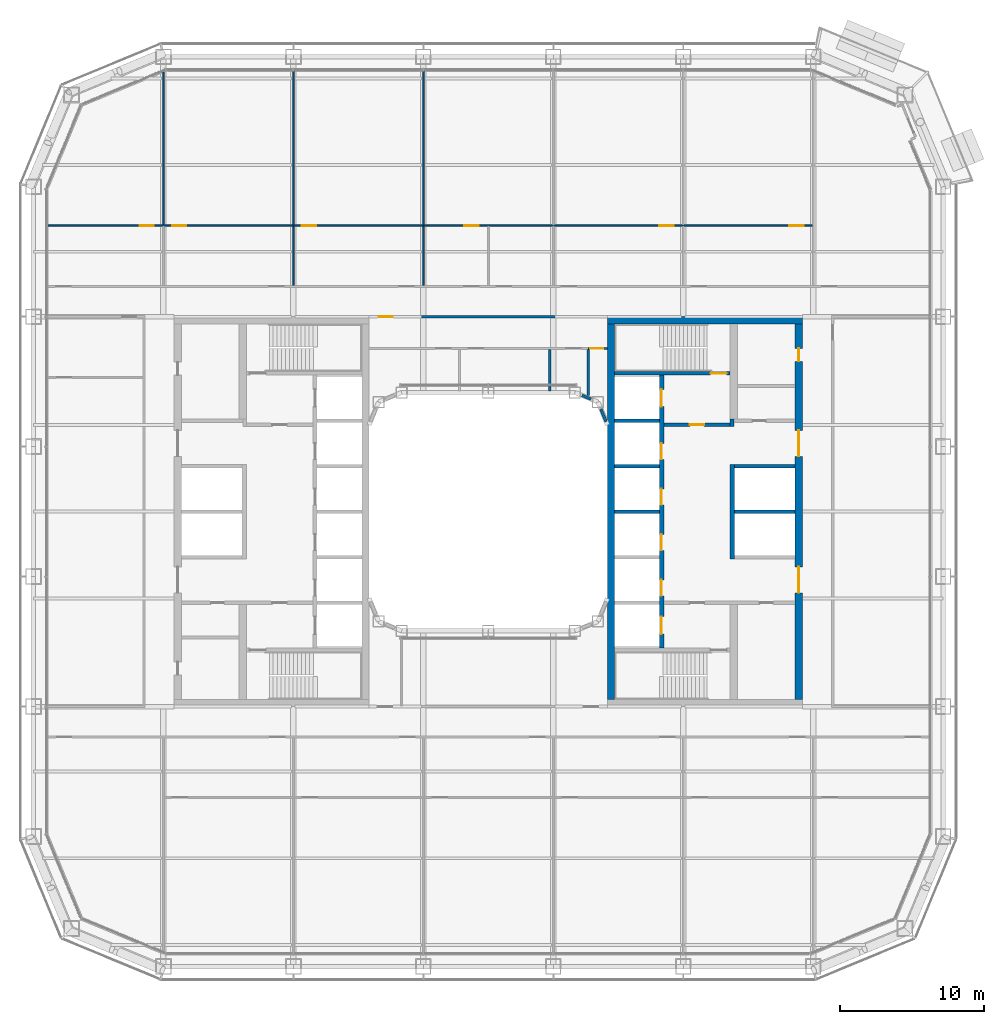
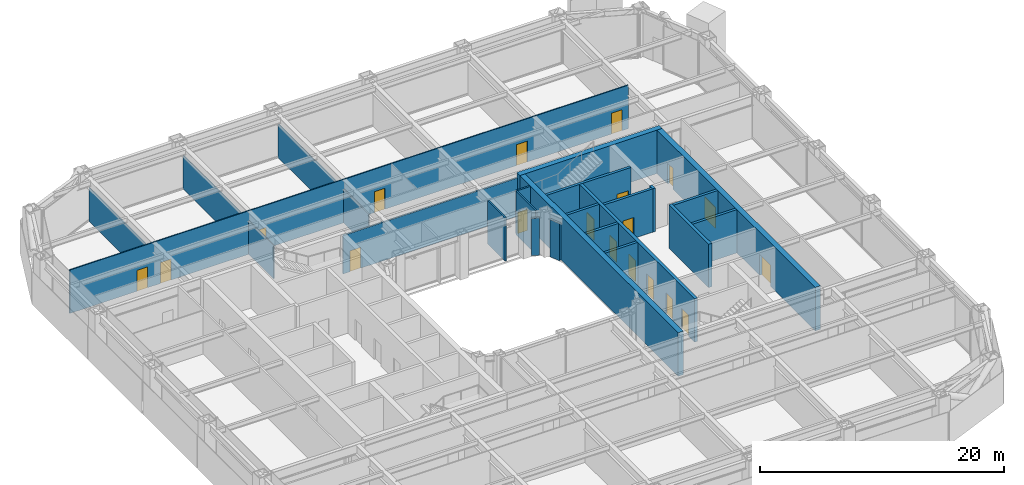
# One storey, part 15 of 30: 25 walls, 19 doors, 19 openings.
"""IFC4 building model written with IfcOpenShell, lengths in metres."""

from ifc_helpers import new_model, si_unit, direction, frame, frame_2d, origin, place, context, subcontext, project, spatial, rectangle, extrude, material, layer, layer_set, type_object, element, fill, save


model = new_model("IFC4")

# Units and contexts
model_context = context("Model", 3, precision=1e-05, world=origin(), true_north=direction((0.0, 1.0)))
body_context = subcontext(model_context, "Body", "Model", "MODEL_VIEW")
ifc_project = project(units=[si_unit("LENGTHUNIT", "METRE"), si_unit("AREAUNIT", "SQUARE_METRE"), si_unit("VOLUMEUNIT", "CUBIC_METRE"), si_unit("PLANEANGLEUNIT", "RADIAN"), si_unit("MASSUNIT", "GRAM", prefix="KILO")], contexts=[model_context])

# Site, building, storey
site_placement = place(None, origin())
site = spatial("IfcSite", under=ifc_project, at=site_placement, CompositionType="ELEMENT")
building_placement = place(site_placement, origin())
building = spatial("IfcBuilding", under=site, at=building_placement, Name="Siwar Civic Tower", CompositionType="ELEMENT")
storey_placement = place(building_placement, frame((0.0, 0.0, 26.699951171875)))
storey = spatial("IfcBuildingStorey", under=building, at=storey_placement, Name="L05", CompositionType="ELEMENT", Elevation=26.699951171875)

# Wall, opening, door
ifc_material_1 = material(Name="Gypsum board on steel studs", Category="steel")
ifc_layer_1 = layer(ifc_material_1, 0.14990234375)
ifc_layer_set_1 = layer_set([ifc_layer_1], Name="Gypsum board on steel studs")
wall_type_1 = type_object("IfcWallType", Name="COMPARTMENT PARTITION 150 EI 60", PredefinedType="PARTITIONING", material=ifc_layer_set_1)
wall_1_placement = place(storey_placement, frame((6.919921875, 11.300048828125, 0.0), z_axis=(0.0, 0.0, 1.0), x_axis=(1.0, 0.0, 0.0)))
wall_1 = element("IfcWall", 1, at=wall_1_placement, inside=storey, type_object=wall_type_1, Name="L05/wall/P08", PredefinedType="PARTITIONING", context=body_context, shape_type="SweptSolid", body=[
    extrude(rectangle(XDim=1.330078125, YDim=0.14990234375, at=frame_2d((0.6650390625, 0.0))), origin(), (0.0, 0.0, 1.0), 4.35009765625),
])
opening_1_placement = place(wall_1_placement, frame((0.14990234375, 0.0, 0.0)))
opening_1 = element("IfcOpeningElement", 2, at=opening_1_placement, cuts=wall_1, Name="Opening D4", PredefinedType="OPENING", context=body_context, shape_type="SweptSolid", body=[
    extrude(rectangle(XDim=0.89990234375, YDim=2.10009765625, at=frame_2d((0.449951171875, 1.050048828125))), frame((0.0, 0.0849609375, 0.0), z_axis=(0.0, -1.0, 0.0), x_axis=(1.0, 0.0, 0.0)), (0.0, 0.0, 1.0), 0.169921875),
])
ifc_material_2 = material(Name="Timber, painted", Category="wood")
door_type_1 = type_object("IfcDoorType", Name="DOOR 900 X 2100 FD60", OperationType="SINGLE_SWING_LEFT", PredefinedType="DOOR", material=ifc_material_2)
door_1_placement = place(opening_1_placement, origin())
door_1 = element("IfcDoor", 3, at=door_1_placement, inside=storey, type_object=door_type_1, Name="L05-D35", OperationType="SINGLE_SWING_LEFT", OverallHeight=2.10009765625, OverallWidth=0.89990234375, PredefinedType="DOOR", context=body_context, shape_type="SweptSolid", body=[
    extrude(rectangle(XDim=0.89990234375, YDim=2.10009765625, at=frame_2d((0.449951171875, 1.050048828125))), frame((0.0, 0.02490234375, 0.0), z_axis=(0.0, -1.0, 0.0), x_axis=(1.0, 0.0, 0.0)), (0.0, 0.0, 1.0), 0.050048828125),
])
fill(opening_1, door_1)

# Wall
wall_2_placement = place(storey_placement, frame((6.919921875, 8.028076171875, 0.0), z_axis=(0.0, 0.0, 1.0), x_axis=(0.0, 1.0, 0.0)))
element("IfcWall", 4, at=wall_2_placement, inside=storey, type_object=wall_type_1, Name="L05/wall/P34", PredefinedType="PARTITIONING", context=body_context, shape_type="SweptSolid", body=[
    extrude(rectangle(XDim=3.197021484375, YDim=0.14990234375, at=frame_2d((1.5986328125, 0.0))), origin(), (0.0, 0.0, 1.0), 4.35009765625),
])

# Wall, opening, door
ifc_material_3 = material(Name="Concrete C60/75", Category="concrete")
ifc_layer_2 = layer(ifc_material_3, 0.25)
ifc_layer_set_2 = layer_set([ifc_layer_2], Name="Concrete C60/75")
wall_type_2 = type_object("IfcWallType", Name="CORE-WALL-RC250", PredefinedType="SHEAR", material=ifc_layer_set_2)
wall_3_placement = place(storey_placement, frame((12.14990234375, 6.02490234375, 0.0), z_axis=(0.0, 0.0, 1.0), x_axis=(1.0, 0.0, 0.0)))
wall_3 = element("IfcWall", 5, at=wall_3_placement, inside=storey, type_object=wall_type_2, Name="Core wall E", PredefinedType="SHEAR", context=body_context, shape_type="SweptSolid", body=[
    extrude(rectangle(XDim=4.60009765625, YDim=0.25, at=frame_2d((2.300048828125, 0.0))), origin(), (0.0, 0.0, 1.0), 4.35009765625),
])
opening_2_placement = place(wall_3_placement, frame((1.800048828125, 0.0, 0.0)))
opening_2 = element("IfcOpeningElement", 6, at=opening_2_placement, cuts=wall_3, Name="Opening L05-CE01", PredefinedType="OPENING", context=body_context, shape_type="SweptSolid", body=[
    extrude(rectangle(XDim=1.0, YDim=2.10009765625, at=frame_2d((0.5, 1.050048828125))), frame((0.0, 0.135009765625, 0.0), z_axis=(0.0, -1.0, 0.0), x_axis=(1.0, 0.0, 0.0)), (0.0, 0.0, 1.0), 0.27001953125),
])
ifc_material_4 = material(Name="Steel door leaf", Category="steel")
door_type_2 = type_object("IfcDoorType", Name="CORE-DOOR-FD30S", OperationType="SINGLE_SWING_LEFT", PredefinedType="DOOR", material=ifc_material_4)
door_2_placement = place(opening_2_placement, origin())
door_2 = element("IfcDoor", 7, at=door_2_placement, inside=storey, type_object=door_type_2, Name="Firefighting lobby door L05-CE01", OperationType="SINGLE_SWING_RIGHT", OverallHeight=2.10009765625, OverallWidth=1.0, PredefinedType="DOOR", context=body_context, shape_type="SweptSolid", body=[
    extrude(rectangle(XDim=1.0, YDim=2.10009765625, at=frame_2d((0.5, 1.050048828125))), frame((0.0, 0.02490234375, 0.0), z_axis=(0.0, -1.0, 0.0), x_axis=(1.0, 0.0, 0.0)), (0.0, 0.0, 1.0), 0.050048828125),
])
fill(opening_2, door_2)

# Walls
wall_4_placement = place(storey_placement, frame((16.875, 5.89990234375, 0.0), z_axis=(0.0, 0.0, 1.0), x_axis=(0.0, 1.0, 0.0)))
element("IfcWall", 8, at=wall_4_placement, inside=storey, type_object=wall_type_2, Name="Core wall E", PredefinedType="SHEAR", context=body_context, shape_type="SweptSolid", body=[
    extrude(rectangle(XDim=0.525146484375, YDim=0.25, at=frame_2d((0.2626953125, 0.0))), origin(), (0.0, 0.0, 1.0), 4.35009765625),
])
for number, where, z_axis, x_axis, name in (
    (9, (17.050048828125, 0.0, 0.0), (0.0, 0.0, 1.0), (1.0, 0.0, 0.0), "Core wall E"),
    (10, (17.050048828125, 3.14990234375, 0.0), (0.0, 0.0, 1.0), (1.0, 0.0, 0.0), "Core wall E"),
):
    element("IfcWall", number, at=place(storey_placement, frame(where, z_axis=z_axis, x_axis=x_axis)), inside=storey, type_object=wall_type_2, Name=name, PredefinedType="SHEAR", context=body_context, shape_type="SweptSolid", body=[
        extrude(rectangle(XDim=4.199951171875, YDim=0.25, at=frame_2d((2.10009765625, 0.0))), origin(), (0.0, 0.0, 1.0), 4.35009765625),
    ])
for number, where, z_axis, x_axis, name in (
    (11, (8.75, 0.0, 0.0), (0.0, 0.0, 1.0), (1.0, 0.0, 0.0), "Core wall E"),
    (12, (8.75, 3.14990234375, 0.0), (0.0, 0.0, 1.0), (1.0, 0.0, 0.0), "Core wall E"),
    (13, (8.75, 6.300048828125, 0.0), (0.0, 0.0, 1.0), (1.0, 0.0, 0.0), "Core wall E"),
):
    element("IfcWall", number, at=place(storey_placement, frame(where, z_axis=z_axis, x_axis=x_axis)), inside=storey, type_object=wall_type_2, Name=name, PredefinedType="SHEAR", context=body_context, shape_type="SweptSolid", body=[
        extrude(rectangle(XDim=3.10009765625, YDim=0.25, at=frame_2d((1.550048828125, 0.0))), origin(), (0.0, 0.0, 1.0), 4.35009765625),
    ])

# Wall, opening, door
wall_5_placement = place(storey_placement, frame((8.75, 9.574951171875, 0.0), z_axis=(0.0, 0.0, 1.0), x_axis=(1.0, 0.0, 0.0)))
wall_5 = element("IfcWall", 14, at=wall_5_placement, inside=storey, type_object=wall_type_2, Name="Core wall E", PredefinedType="SHEAR", context=body_context, shape_type="SweptSolid", body=[
    extrude(rectangle(XDim=8.0, YDim=0.25, at=frame_2d((4.0, 0.0))), origin(), (0.0, 0.0, 1.0), 4.35009765625),
])
opening_3_placement = place(wall_5_placement, frame((6.64990234375, 0.0, 0.0)))
opening_3 = element("IfcOpeningElement", 15, at=opening_3_placement, cuts=wall_5, Name="Opening L05-CE03", PredefinedType="OPENING", context=body_context, shape_type="SweptSolid", body=[
    extrude(rectangle(XDim=1.10009765625, YDim=2.10009765625, at=frame_2d((0.550048828125, 1.050048828125))), frame((0.0, 0.135009765625, 0.0), z_axis=(0.0, -1.0, 0.0), x_axis=(1.0, 0.0, 0.0)), (0.0, 0.0, 1.0), 0.27001953125),
])
ifc_material_5 = material(Name="Steel door leaf", Category="steel")
door_type_3 = type_object("IfcDoorType", Name="CORE-DOOR-FD60S", OperationType="SINGLE_SWING_LEFT", PredefinedType="DOOR", material=ifc_material_5)
door_3_placement = place(opening_3_placement, origin())
door_3 = element("IfcDoor", 16, at=door_3_placement, inside=storey, type_object=door_type_3, Name="Stair door L05-CE03", OperationType="SINGLE_SWING_LEFT", OverallHeight=2.10009765625, OverallWidth=1.10009765625, PredefinedType="DOOR", context=body_context, shape_type="SweptSolid", body=[
    extrude(rectangle(XDim=1.10009765625, YDim=2.10009765625, at=frame_2d((0.550048828125, 1.050048828125))), frame((0.0, 0.02490234375, 0.0), z_axis=(0.0, -1.0, 0.0), x_axis=(1.0, 0.0, 0.0)), (0.0, 0.0, 1.0), 0.050048828125),
])
fill(opening_3, door_3)

# Wall, openings, doors
ifc_material_6 = material(Name="Concrete C60/75", Category="concrete")
ifc_layer_3 = layer(ifc_material_6, 0.300048828125)
ifc_layer_set_3 = layer_set([ifc_layer_3], Name="Concrete C60/75")
wall_type_3 = type_object("IfcWallType", Name="CORE-WALL-RC300", PredefinedType="SHEAR", material=ifc_layer_set_3)
wall_6_placement = place(storey_placement, frame((12.0, -9.449951171875, 0.0), z_axis=(0.0, 0.0, 1.0), x_axis=(0.0, 1.0, 0.0)))
wall_6 = element("IfcWall", 17, at=wall_6_placement, inside=storey, type_object=wall_type_3, Name="Core wall E", PredefinedType="SHEAR", context=body_context, shape_type="SweptSolid", body=[
    extrude(rectangle(XDim=18.89990234375, YDim=0.300048828125, at=frame_2d((9.449951171875, 0.0))), origin(), (0.0, 0.0, 1.0), 4.35009765625),
])
opening_4_placement = place(wall_6_placement, frame((3.625, 0.0, 0.0)))
opening_4 = element("IfcOpeningElement", 18, at=opening_4_placement, cuts=wall_6, Name="Opening L05-CE07", PredefinedType="OPENING", context=body_context, shape_type="SweptSolid", body=[
    extrude(rectangle(XDim=1.10009765625, YDim=2.10009765625, at=frame_2d((0.550048828125, 1.050048828125))), frame((0.0, 0.16015625, 0.0), z_axis=(0.0, -1.0, 0.0), x_axis=(1.0, 0.0, 0.0)), (0.0, 0.0, 1.0), 0.320068359375),
])
opening_5_placement = place(wall_6_placement, frame((6.77490234375, 0.0, 0.0)))
opening_5 = element("IfcOpeningElement", 19, at=opening_5_placement, cuts=wall_6, Name="Opening L05-CE08", PredefinedType="OPENING", context=body_context, shape_type="SweptSolid", body=[
    extrude(rectangle(XDim=1.10009765625, YDim=2.10009765625, at=frame_2d((0.550048828125, 1.050048828125))), frame((0.0, 0.16015625, 0.0), z_axis=(0.0, -1.0, 0.0), x_axis=(1.0, 0.0, 0.0)), (0.0, 0.0, 1.0), 0.320068359375),
])
opening_6_placement = place(wall_6_placement, frame((9.925048828125, 0.0, 0.0)))
opening_6 = element("IfcOpeningElement", 20, at=opening_6_placement, cuts=wall_6, Name="Opening L05-CE09", PredefinedType="OPENING", context=body_context, shape_type="SweptSolid", body=[
    extrude(rectangle(XDim=1.10009765625, YDim=2.10009765625, at=frame_2d((0.550048828125, 1.050048828125))), frame((0.0, 0.16015625, 0.0), z_axis=(0.0, -1.0, 0.0), x_axis=(1.0, 0.0, 0.0)), (0.0, 0.0, 1.0), 0.320068359375),
])
opening_7_placement = place(wall_6_placement, frame((13.074951171875, 0.0, 0.0)))
opening_7 = element("IfcOpeningElement", 21, at=opening_7_placement, cuts=wall_6, Name="Opening L05-CE10", PredefinedType="OPENING", context=body_context, shape_type="SweptSolid", body=[
    extrude(rectangle(XDim=1.10009765625, YDim=2.10009765625, at=frame_2d((0.550048828125, 1.050048828125))), frame((0.0, 0.16015625, 0.0), z_axis=(0.0, -1.0, 0.0), x_axis=(1.0, 0.0, 0.0)), (0.0, 0.0, 1.0), 0.320068359375),
])
opening_8_placement = place(wall_6_placement, frame((16.72509765625, 0.0, 0.0)))
opening_8 = element("IfcOpeningElement", 22, at=opening_8_placement, cuts=wall_6, Name="Opening L05-CE11", PredefinedType="OPENING", context=body_context, shape_type="SweptSolid", body=[
    extrude(rectangle(XDim=1.199951171875, YDim=2.10009765625, at=frame_2d((0.60009765625, 1.050048828125))), frame((0.0, 0.16015625, 0.0), z_axis=(0.0, -1.0, 0.0), x_axis=(1.0, 0.0, 0.0)), (0.0, 0.0, 1.0), 0.320068359375),
])
opening_9_placement = place(wall_6_placement, frame((0.97509765625, 0.0, 0.0)))
opening_9 = element("IfcOpeningElement", 23, at=opening_9_placement, cuts=wall_6, Name="Opening L05-CE12", PredefinedType="OPENING", context=body_context, shape_type="SweptSolid", body=[
    extrude(rectangle(XDim=1.199951171875, YDim=2.10009765625, at=frame_2d((0.60009765625, 1.050048828125))), frame((0.0, 0.16015625, 0.0), z_axis=(0.0, -1.0, 0.0), x_axis=(1.0, 0.0, 0.0)), (0.0, 0.0, 1.0), 0.320068359375),
])
ifc_material_7 = material(Name="Steel door leaf", Category="steel")
door_type_4 = type_object("IfcDoorType", Name="CORE-DOOR-LD", OperationType="DOUBLE_DOOR_SLIDING", PredefinedType="DOOR", material=ifc_material_7)
door_4_placement = place(opening_4_placement, origin())
door_4 = element("IfcDoor", 24, at=door_4_placement, inside=storey, type_object=door_type_4, Name="Landing door LR5 L05-CE07", OperationType="DOUBLE_DOOR_SLIDING", OverallHeight=2.10009765625, OverallWidth=1.10009765625, PredefinedType="DOOR", context=body_context, shape_type="SweptSolid", body=[
    extrude(rectangle(XDim=1.10009765625, YDim=2.10009765625, at=frame_2d((0.550048828125, 1.050048828125))), frame((0.0, 0.02490234375, 0.0), z_axis=(0.0, -1.0, 0.0), x_axis=(1.0, 0.0, 0.0)), (0.0, 0.0, 1.0), 0.050048828125),
])
fill(opening_4, door_4)
door_5_placement = place(opening_5_placement, origin())
door_5 = element("IfcDoor", 25, at=door_5_placement, inside=storey, type_object=door_type_4, Name="Landing door LR6 L05-CE08", OperationType="DOUBLE_DOOR_SLIDING", OverallHeight=2.10009765625, OverallWidth=1.10009765625, PredefinedType="DOOR", context=body_context, shape_type="SweptSolid", body=[
    extrude(rectangle(XDim=1.10009765625, YDim=2.10009765625, at=frame_2d((0.550048828125, 1.050048828125))), frame((0.0, 0.02490234375, 0.0), z_axis=(0.0, -1.0, 0.0), x_axis=(1.0, 0.0, 0.0)), (0.0, 0.0, 1.0), 0.050048828125),
])
fill(opening_5, door_5)
door_6_placement = place(opening_6_placement, origin())
door_6 = element("IfcDoor", 26, at=door_6_placement, inside=storey, type_object=door_type_4, Name="Landing door LR7 L05-CE09", OperationType="DOUBLE_DOOR_SLIDING", OverallHeight=2.10009765625, OverallWidth=1.10009765625, PredefinedType="DOOR", context=body_context, shape_type="SweptSolid", body=[
    extrude(rectangle(XDim=1.10009765625, YDim=2.10009765625, at=frame_2d((0.550048828125, 1.050048828125))), frame((0.0, 0.02490234375, 0.0), z_axis=(0.0, -1.0, 0.0), x_axis=(1.0, 0.0, 0.0)), (0.0, 0.0, 1.0), 0.050048828125),
])
fill(opening_6, door_6)
door_7_placement = place(opening_7_placement, origin())
door_7 = element("IfcDoor", 27, at=door_7_placement, inside=storey, type_object=door_type_4, Name="Landing door LR8 L05-CE10", OperationType="DOUBLE_DOOR_SLIDING", OverallHeight=2.10009765625, OverallWidth=1.10009765625, PredefinedType="DOOR", context=body_context, shape_type="SweptSolid", body=[
    extrude(rectangle(XDim=1.10009765625, YDim=2.10009765625, at=frame_2d((0.550048828125, 1.050048828125))), frame((0.0, 0.02490234375, 0.0), z_axis=(0.0, -1.0, 0.0), x_axis=(1.0, 0.0, 0.0)), (0.0, 0.0, 1.0), 0.050048828125),
])
fill(opening_7, door_7)
ifc_material_8 = material(Name="Steel door leaf", Category="steel")
door_type_5 = type_object("IfcDoorType", Name="CORE-DOOR-LDW", OperationType="DOUBLE_DOOR_SLIDING", PredefinedType="DOOR", material=ifc_material_8)
door_8_placement = place(opening_8_placement, origin())
door_8 = element("IfcDoor", 28, at=door_8_placement, inside=storey, type_object=door_type_5, Name="Landing door FF2 L05-CE11", OperationType="DOUBLE_DOOR_SLIDING", OverallHeight=2.10009765625, OverallWidth=1.199951171875, PredefinedType="DOOR", context=body_context, shape_type="SweptSolid", body=[
    extrude(rectangle(XDim=1.199951171875, YDim=2.10009765625, at=frame_2d((0.60009765625, 1.050048828125))), frame((0.0, 0.02490234375, 0.0), z_axis=(0.0, -1.0, 0.0), x_axis=(1.0, 0.0, 0.0)), (0.0, 0.0, 1.0), 0.050048828125),
])
fill(opening_8, door_8)
door_9_placement = place(opening_9_placement, origin())
door_9 = element("IfcDoor", 29, at=door_9_placement, inside=storey, type_object=door_type_5, Name="Landing door SV2 L05-CE12", OperationType="DOUBLE_DOOR_SLIDING", OverallHeight=2.10009765625, OverallWidth=1.199951171875, PredefinedType="DOOR", context=body_context, shape_type="SweptSolid", body=[
    extrude(rectangle(XDim=1.199951171875, YDim=2.10009765625, at=frame_2d((0.60009765625, 1.050048828125))), frame((0.0, 0.02490234375, 0.0), z_axis=(0.0, -1.0, 0.0), x_axis=(1.0, 0.0, 0.0)), (0.0, 0.0, 1.0), 0.050048828125),
])
fill(opening_9, door_9)

# Wall
wall_7_placement = place(storey_placement, frame((16.89990234375, -3.27490234375, 0.0), z_axis=(0.0, 0.0, 1.0), x_axis=(0.0, 1.0, 0.0)))
element("IfcWall", 30, at=wall_7_placement, inside=storey, type_object=wall_type_3, Name="Core wall E", PredefinedType="SHEAR", context=body_context, shape_type="SweptSolid", body=[
    extrude(rectangle(XDim=6.5498046875, YDim=0.300048828125, at=frame_2d((3.27490234375, 0.0))), origin(), (0.0, 0.0, 1.0), 4.35009765625),
])

# Wall, openings, doors
ifc_material_9 = material(Name="Concrete C60/75", Category="concrete")
ifc_layer_4 = layer(ifc_material_9, 0.5)
ifc_layer_set_4 = layer_set([ifc_layer_4], Name="Concrete C60/75")
wall_type_4 = type_object("IfcWallType", Name="CORE-WALL-RC500", PredefinedType="SHEAR", material=ifc_layer_set_4)
wall_8_placement = place(storey_placement, frame((21.5, -13.0, 0.0), z_axis=(0.0, 0.0, 1.0), x_axis=(0.0, 1.0, 0.0)))
wall_8 = element("IfcWall", 31, at=wall_8_placement, inside=storey, type_object=wall_type_4, Name="Core wall E", PredefinedType="SHEAR", context=body_context, shape_type="SweptSolid", body=[
    extrude(rectangle(XDim=26.0, YDim=0.5, at=frame_2d((13.0, 0.0))), origin(), (0.0, 0.0, 1.0), 4.35009765625),
])
opening_10_placement = place(wall_8_placement, frame((16.824951171875, 0.0, 0.0)))
opening_10 = element("IfcOpeningElement", 32, at=opening_10_placement, cuts=wall_8, Name="Opening L05-CE05", PredefinedType="OPENING", context=body_context, shape_type="SweptSolid", body=[
    extrude(rectangle(XDim=1.800048828125, YDim=2.10009765625, at=frame_2d((0.89990234375, 1.050048828125))), frame((0.0, 0.260009765625, 0.0), z_axis=(0.0, -1.0, 0.0), x_axis=(1.0, 0.0, 0.0)), (0.0, 0.0, 1.0), 0.52001953125),
])
opening_11_placement = place(wall_8_placement, frame((7.375, 0.0, 0.0)))
opening_11 = element("IfcOpeningElement", 33, at=opening_11_placement, cuts=wall_8, Name="Opening L05-CE06", PredefinedType="OPENING", context=body_context, shape_type="SweptSolid", body=[
    extrude(rectangle(XDim=1.800048828125, YDim=2.10009765625, at=frame_2d((0.89990234375, 1.050048828125))), frame((0.0, 0.260009765625, 0.0), z_axis=(0.0, -1.0, 0.0), x_axis=(1.0, 0.0, 0.0)), (0.0, 0.0, 1.0), 0.52001953125),
])
opening_12_placement = place(wall_8_placement, frame((23.39990234375, 0.0, 0.0)))
opening_12 = element("IfcOpeningElement", 34, at=opening_12_placement, cuts=wall_8, Name="Opening L05-CE14", PredefinedType="OPENING", context=body_context, shape_type="SweptSolid", body=[
    extrude(rectangle(XDim=0.89990234375, YDim=2.10009765625, at=frame_2d((0.449951171875, 1.050048828125))), frame((0.0, 0.260009765625, 0.0), z_axis=(0.0, -1.0, 0.0), x_axis=(1.0, 0.0, 0.0)), (0.0, 0.0, 1.0), 0.52001953125),
])
ifc_material_10 = material(Name="Steel door leaf", Category="steel")
door_type_6 = type_object("IfcDoorType", Name="CORE-DOOR-PORT", OperationType="DOUBLE_DOOR_DOUBLE_SWING", PredefinedType="DOOR", material=ifc_material_10)
door_10_placement = place(opening_10_placement, origin())
door_10 = element("IfcDoor", 35, at=door_10_placement, inside=storey, type_object=door_type_6, Name="Core entrance door L05-CE05", OperationType="DOUBLE_DOOR_DOUBLE_SWING", OverallHeight=2.10009765625, OverallWidth=1.800048828125, PredefinedType="DOOR", context=body_context, shape_type="SweptSolid", body=[
    extrude(rectangle(XDim=1.800048828125, YDim=2.10009765625, at=frame_2d((0.89990234375, 1.050048828125))), frame((0.0, 0.02490234375, 0.0), z_axis=(0.0, -1.0, 0.0), x_axis=(1.0, 0.0, 0.0)), (0.0, 0.0, 1.0), 0.050048828125),
])
fill(opening_10, door_10)
door_11_placement = place(opening_11_placement, origin())
door_11 = element("IfcDoor", 36, at=door_11_placement, inside=storey, type_object=door_type_6, Name="Core entrance door L05-CE06", OperationType="DOUBLE_DOOR_DOUBLE_SWING", OverallHeight=2.10009765625, OverallWidth=1.800048828125, PredefinedType="DOOR", context=body_context, shape_type="SweptSolid", body=[
    extrude(rectangle(XDim=1.800048828125, YDim=2.10009765625, at=frame_2d((0.89990234375, 1.050048828125))), frame((0.0, 0.02490234375, 0.0), z_axis=(0.0, -1.0, 0.0), x_axis=(1.0, 0.0, 0.0)), (0.0, 0.0, 1.0), 0.050048828125),
])
fill(opening_11, door_11)
ifc_material_11 = material(Name="Steel door leaf", Category="steel")
door_type_7 = type_object("IfcDoorType", Name="CORE-DOOR-ROOM", OperationType="SINGLE_SWING_LEFT", PredefinedType="DOOR", material=ifc_material_11)
door_12_placement = place(opening_12_placement, origin())
door_12 = element("IfcDoor", 37, at=door_12_placement, inside=storey, type_object=door_type_7, Name="Core room door L05-CE14", OperationType="SINGLE_SWING_RIGHT", OverallHeight=2.10009765625, OverallWidth=0.89990234375, PredefinedType="DOOR", context=body_context, shape_type="SweptSolid", body=[
    extrude(rectangle(XDim=0.89990234375, YDim=2.10009765625, at=frame_2d((0.449951171875, 1.050048828125))), frame((0.0, 0.02490234375, 0.0), z_axis=(0.0, -1.0, 0.0), x_axis=(1.0, 0.0, 0.0)), (0.0, 0.0, 1.0), 0.050048828125),
])
fill(opening_12, door_12)

# Walls
wall_9_placement = place(storey_placement, frame((8.25, 13.25, 0.0), z_axis=(0.0, 0.0, 1.0), x_axis=(1.0, 0.0, 0.0)))
element("IfcWall", 38, at=wall_9_placement, inside=storey, type_object=wall_type_4, Name="Core wall E", PredefinedType="SHEAR", context=body_context, shape_type="SweptSolid", body=[
    extrude(rectangle(XDim=13.5, YDim=0.5, at=frame_2d((6.75, 0.0))), origin(), (0.0, 0.0, 1.0), 4.35009765625),
])
ifc_material_12 = material(Name="Concrete C60/75", Category="concrete")
ifc_layer_5 = layer(ifc_material_12, 0.5)
ifc_layer_set_5 = layer_set([ifc_layer_5], Name="Concrete C60/75")
wall_type_5 = type_object("IfcWallType", Name="CORE-WALL-RC500-EXT", PredefinedType="SHEAR", material=ifc_layer_set_5)
wall_10_placement = place(storey_placement, frame((8.5, -13.0, 0.0), z_axis=(0.0, 0.0, 1.0), x_axis=(0.0, 1.0, 0.0)))
element("IfcWall", 39, at=wall_10_placement, inside=storey, type_object=wall_type_5, Name="Core wall E", PredefinedType="SHEAR", context=body_context, shape_type="SweptSolid", body=[
    extrude(rectangle(XDim=26.0, YDim=0.5, at=frame_2d((13.0, 0.0))), origin(), (0.0, 0.0, 1.0), 4.35009765625),
])

# Wall, opening, door
ifc_material_13 = material(Name="Gypsum board on steel studs", Category="steel")
ifc_layer_6 = layer(ifc_material_13, 0.14990234375)
ifc_layer_set_6 = layer_set([ifc_layer_6], Name="Gypsum board on steel studs")
wall_type_6 = type_object("IfcWallType", Name="CORRIDOR PARTITION 150 EI 30", PredefinedType="PARTITIONING", material=ifc_layer_set_6)
wall_11_placement = place(storey_placement, frame((-8.25, 13.5, 0.0), z_axis=(0.0, 0.0, 1.0), x_axis=(1.0, 0.0, 0.0)))
wall_11 = element("IfcWall", 40, at=wall_11_placement, inside=storey, type_object=wall_type_6, Name="L05/wall/P10", PredefinedType="PARTITIONING", context=body_context, shape_type="SweptSolid", body=[
    extrude(rectangle(XDim=16.5, YDim=0.14990234375, at=frame_2d((8.25, 0.0))), origin(), (0.0, 0.0, 1.0), 3.85009765625),
])
opening_13_placement = place(wall_11_placement, frame((0.64990234375, 0.0, 0.0)))
opening_13 = element("IfcOpeningElement", 41, at=opening_13_placement, cuts=wall_11, Name="Opening D1", PredefinedType="OPENING", context=body_context, shape_type="SweptSolid", body=[
    extrude(rectangle(XDim=1.0, YDim=2.10009765625, at=frame_2d((0.5, 1.050048828125))), frame((0.0, 0.0849609375, 0.0), z_axis=(0.0, -1.0, 0.0), x_axis=(1.0, 0.0, 0.0)), (0.0, 0.0, 1.0), 0.169921875),
])
ifc_material_14 = material(Name="Timber, painted", Category="wood")
door_type_8 = type_object("IfcDoorType", Name="DOOR 1000 X 2100 FD30", OperationType="SINGLE_SWING_LEFT", PredefinedType="DOOR", material=ifc_material_14)
door_13_placement = place(opening_13_placement, origin())
door_13 = element("IfcDoor", 42, at=door_13_placement, inside=storey, type_object=door_type_8, Name="L05-D31", OperationType="SINGLE_SWING_LEFT", OverallHeight=2.10009765625, OverallWidth=1.0, PredefinedType="DOOR", context=body_context, shape_type="SweptSolid", body=[
    extrude(rectangle(XDim=1.0, YDim=2.10009765625, at=frame_2d((0.5, 1.050048828125))), frame((0.0, 0.02490234375, 0.0), z_axis=(0.0, -1.0, 0.0), x_axis=(1.0, 0.0, 0.0)), (0.0, 0.0, 1.0), 0.050048828125),
])
fill(opening_13, door_13)

# Walls
wall_12_placement = place(storey_placement, frame((4.25, 8.3701171875, 0.0), z_axis=(0.0, 0.0, 1.0), x_axis=(0.0, 1.0, 0.0)))
element("IfcWall", 43, at=wall_12_placement, inside=storey, type_object=wall_type_6, Name="L05/wall/P29", PredefinedType="PARTITIONING", context=body_context, shape_type="SweptSolid", body=[
    extrude(rectangle(XDim=2.85498046875, YDim=0.14990234375, at=frame_2d((1.427490234375, 0.0))), origin(), (0.0, 0.0, 1.0), 4.35009765625),
])
ifc_material_15 = material(Name="Aluminium clad insulated panel", Category="aluminium")
ifc_layer_7 = layer(ifc_material_15, 0.199951171875)
ifc_layer_set_7 = layer_set([ifc_layer_7], Name="Aluminium clad insulated panel")
wall_type_7 = type_object("IfcWallType", Name="ENV-WALL-WELL", PredefinedType="STANDARD", material=ifc_layer_set_7)
wall_13_placement = place(storey_placement, frame((8.154296875, 6.23095703125, 0.0), z_axis=(0.0, 0.0, 1.0), x_axis=(-0.382624318388, 0.923904016107, 0.0)))
element("IfcWall", 44, at=wall_13_placement, inside=storey, type_object=wall_type_7, Name="Light well corner wall NE1", PredefinedType="STANDARD", context=body_context, shape_type="SweptSolid", body=[
    extrude(rectangle(XDim=0.949462890625, YDim=0.199951171875, at=frame_2d((0.474609375, 0.0))), origin(), (0.0, 0.0, 1.0), 3.72998046875),
])
wall_14_placement = place(storey_placement, frame((7.108154296875, 7.791015625, 0.0), z_axis=(0.0, 0.0, 1.0), x_axis=(-0.923854141361, 0.382744726273, 0.0)))
element("IfcWall", 45, at=wall_14_placement, inside=storey, type_object=wall_type_7, Name="Light well corner wall NE2", PredefinedType="STANDARD", context=body_context, shape_type="SweptSolid", body=[
    extrude(rectangle(XDim=0.6767578125, YDim=0.199951171875, at=frame_2d((0.33837890625, 0.0))), origin(), (0.0, 0.0, 1.0), 3.72998046875),
])

# Wall, openings, doors
ifc_material_16 = material(Name="Gypsum board on steel studs", Category="steel")
ifc_layer_8 = layer(ifc_material_16, 0.10009765625)
ifc_layer_set_8 = layer_set([ifc_layer_8], Name="Gypsum board on steel studs")
wall_type_8 = type_object("IfcWallType", Name="PARTITION 100 GYPSUM", PredefinedType="PARTITIONING", material=ifc_layer_set_8)
wall_15_placement = place(storey_placement, frame((-30.510009765625, 19.800048828125, 0.0), z_axis=(0.0, 0.0, 1.0), x_axis=(1.0, 0.0, 0.0)))
wall_15 = element("IfcWall", 46, at=wall_15_placement, inside=storey, type_object=wall_type_8, Name="L05/wall/P13", PredefinedType="PARTITIONING", context=body_context, shape_type="SweptSolid", body=[
    extrude(rectangle(XDim=52.9599609375, YDim=0.10009765625, at=frame_2d((26.47998046875, 0.0))), origin(), (0.0, 0.0, 1.0), 4.35009765625),
])
opening_14_placement = place(wall_15_placement, frame((8.610107421875, 0.0, 0.0)))
opening_14 = element("IfcOpeningElement", 47, at=opening_14_placement, cuts=wall_15, Name="Opening D2", PredefinedType="OPENING", context=body_context, shape_type="SweptSolid", body=[
    extrude(rectangle(XDim=1.0, YDim=2.10009765625, at=frame_2d((0.5, 1.050048828125))), frame((0.0, 0.06005859375, 0.0), z_axis=(0.0, -1.0, 0.0), x_axis=(1.0, 0.0, 0.0)), (0.0, 0.0, 1.0), 0.1201171875),
])
opening_15_placement = place(wall_15_placement, frame((17.610107421875, 0.0, 0.0)))
opening_15 = element("IfcOpeningElement", 48, at=opening_15_placement, cuts=wall_15, Name="Opening D2", PredefinedType="OPENING", context=body_context, shape_type="SweptSolid", body=[
    extrude(rectangle(XDim=1.0, YDim=2.10009765625, at=frame_2d((0.5, 1.050048828125))), frame((0.0, 0.06005859375, 0.0), z_axis=(0.0, -1.0, 0.0), x_axis=(1.0, 0.0, 0.0)), (0.0, 0.0, 1.0), 0.1201171875),
])
opening_16_placement = place(wall_15_placement, frame((28.860107421875, 0.0, 0.0)))
opening_16 = element("IfcOpeningElement", 49, at=opening_16_placement, cuts=wall_15, Name="Opening D2", PredefinedType="OPENING", context=body_context, shape_type="SweptSolid", body=[
    extrude(rectangle(XDim=1.0, YDim=2.10009765625, at=frame_2d((0.5, 1.050048828125))), frame((0.0, 0.06005859375, 0.0), z_axis=(0.0, -1.0, 0.0), x_axis=(1.0, 0.0, 0.0)), (0.0, 0.0, 1.0), 0.1201171875),
])
opening_17_placement = place(wall_15_placement, frame((42.360107421875, 0.0, 0.0)))
opening_17 = element("IfcOpeningElement", 50, at=opening_17_placement, cuts=wall_15, Name="Opening D2", PredefinedType="OPENING", context=body_context, shape_type="SweptSolid", body=[
    extrude(rectangle(XDim=1.0, YDim=2.10009765625, at=frame_2d((0.5, 1.050048828125))), frame((0.0, 0.06005859375, 0.0), z_axis=(0.0, -1.0, 0.0), x_axis=(1.0, 0.0, 0.0)), (0.0, 0.0, 1.0), 0.1201171875),
])
opening_18_placement = place(wall_15_placement, frame((51.360107421875, 0.0, 0.0)))
opening_18 = element("IfcOpeningElement", 51, at=opening_18_placement, cuts=wall_15, Name="Opening D2", PredefinedType="OPENING", context=body_context, shape_type="SweptSolid", body=[
    extrude(rectangle(XDim=1.0, YDim=2.10009765625, at=frame_2d((0.5, 1.050048828125))), frame((0.0, 0.06005859375, 0.0), z_axis=(0.0, -1.0, 0.0), x_axis=(1.0, 0.0, 0.0)), (0.0, 0.0, 1.0), 0.1201171875),
])
opening_19_placement = place(wall_15_placement, frame((6.360107421875, 0.0, 0.0)))
opening_19 = element("IfcOpeningElement", 52, at=opening_19_placement, cuts=wall_15, Name="Opening D2", PredefinedType="OPENING", context=body_context, shape_type="SweptSolid", body=[
    extrude(rectangle(XDim=1.0, YDim=2.10009765625, at=frame_2d((0.5, 1.050048828125))), frame((0.0, 0.06005859375, 0.0), z_axis=(0.0, -1.0, 0.0), x_axis=(1.0, 0.0, 0.0)), (0.0, 0.0, 1.0), 0.1201171875),
])
ifc_material_17 = material(Name="Timber, painted", Category="wood")
door_type_9 = type_object("IfcDoorType", Name="DOOR 1000 X 2100", OperationType="SINGLE_SWING_LEFT", PredefinedType="DOOR", material=ifc_material_17)
door_14_placement = place(opening_14_placement, origin())
door_14 = element("IfcDoor", 53, at=door_14_placement, inside=storey, type_object=door_type_9, Name="L05-D02", OperationType="SINGLE_SWING_RIGHT", OverallHeight=2.10009765625, OverallWidth=1.0, PredefinedType="DOOR", context=body_context, shape_type="SweptSolid", body=[
    extrude(rectangle(XDim=1.0, YDim=2.10009765625, at=frame_2d((0.5, 1.050048828125))), frame((0.0, 0.02490234375, 0.0), z_axis=(0.0, -1.0, 0.0), x_axis=(1.0, 0.0, 0.0)), (0.0, 0.0, 1.0), 0.050048828125),
])
fill(opening_14, door_14)
door_15_placement = place(opening_15_placement, origin())
door_15 = element("IfcDoor", 54, at=door_15_placement, inside=storey, type_object=door_type_9, Name="L05-D04", OperationType="SINGLE_SWING_RIGHT", OverallHeight=2.10009765625, OverallWidth=1.0, PredefinedType="DOOR", context=body_context, shape_type="SweptSolid", body=[
    extrude(rectangle(XDim=1.0, YDim=2.10009765625, at=frame_2d((0.5, 1.050048828125))), frame((0.0, 0.02490234375, 0.0), z_axis=(0.0, -1.0, 0.0), x_axis=(1.0, 0.0, 0.0)), (0.0, 0.0, 1.0), 0.050048828125),
])
fill(opening_15, door_15)
door_16_placement = place(opening_16_placement, origin())
door_16 = element("IfcDoor", 55, at=door_16_placement, inside=storey, type_object=door_type_9, Name="L05-D07", OperationType="SINGLE_SWING_LEFT", OverallHeight=2.10009765625, OverallWidth=1.0, PredefinedType="DOOR", context=body_context, shape_type="SweptSolid", body=[
    extrude(rectangle(XDim=1.0, YDim=2.10009765625, at=frame_2d((0.5, 1.050048828125))), frame((0.0, 0.02490234375, 0.0), z_axis=(0.0, -1.0, 0.0), x_axis=(1.0, 0.0, 0.0)), (0.0, 0.0, 1.0), 0.050048828125),
])
fill(opening_16, door_16)
door_17_placement = place(opening_17_placement, origin())
door_17 = element("IfcDoor", 56, at=door_17_placement, inside=storey, type_object=door_type_9, Name="L05-D09", OperationType="SINGLE_SWING_LEFT", OverallHeight=2.10009765625, OverallWidth=1.0, PredefinedType="DOOR", context=body_context, shape_type="SweptSolid", body=[
    extrude(rectangle(XDim=1.0, YDim=2.10009765625, at=frame_2d((0.5, 1.050048828125))), frame((0.0, 0.02490234375, 0.0), z_axis=(0.0, -1.0, 0.0), x_axis=(1.0, 0.0, 0.0)), (0.0, 0.0, 1.0), 0.050048828125),
])
fill(opening_17, door_17)
door_18_placement = place(opening_18_placement, origin())
door_18 = element("IfcDoor", 57, at=door_18_placement, inside=storey, type_object=door_type_9, Name="L05-D11", OperationType="SINGLE_SWING_LEFT", OverallHeight=2.10009765625, OverallWidth=1.0, PredefinedType="DOOR", context=body_context, shape_type="SweptSolid", body=[
    extrude(rectangle(XDim=1.0, YDim=2.10009765625, at=frame_2d((0.5, 1.050048828125))), frame((0.0, 0.02490234375, 0.0), z_axis=(0.0, -1.0, 0.0), x_axis=(1.0, 0.0, 0.0)), (0.0, 0.0, 1.0), 0.050048828125),
])
fill(opening_18, door_18)
door_19_placement = place(opening_19_placement, origin())
door_19 = element("IfcDoor", 58, at=door_19_placement, inside=storey, type_object=door_type_9, Name="L05-D23", OperationType="SINGLE_SWING_LEFT", OverallHeight=2.10009765625, OverallWidth=1.0, PredefinedType="DOOR", context=body_context, shape_type="SweptSolid", body=[
    extrude(rectangle(XDim=1.0, YDim=2.10009765625, at=frame_2d((0.5, 1.050048828125))), frame((0.0, 0.02490234375, 0.0), z_axis=(0.0, -1.0, 0.0), x_axis=(1.0, 0.0, 0.0)), (0.0, 0.0, 1.0), 0.050048828125),
])
fill(opening_19, door_19)

# Walls
wall_16_placement = place(storey_placement, frame((-22.5, 19.85009765625, 0.0), z_axis=(0.0, 0.0, 1.0), x_axis=(0.0, 1.0, 0.0)))
element("IfcWall", 59, at=wall_16_placement, inside=storey, type_object=wall_type_8, Name="L05/wall/P17", PredefinedType="PARTITIONING", context=body_context, shape_type="SweptSolid", body=[
    extrude(rectangle(XDim=10.577880859375, YDim=0.10009765625, at=frame_2d((5.2890625, 0.0))), origin(), (0.0, 0.0, 1.0), 3.35009765625),
])
wall_17_placement = place(storey_placement, frame((-13.5, 15.675048828125, 0.0), z_axis=(0.0, 0.0, 1.0), x_axis=(0.0, 1.0, 0.0)))
element("IfcWall", 60, at=wall_17_placement, inside=storey, type_object=wall_type_8, Name="L05/wall/P20", PredefinedType="PARTITIONING", context=body_context, shape_type="SweptSolid", body=[
    extrude(rectangle(XDim=4.074951171875, YDim=0.10009765625, at=frame_2d((2.03759765625, 0.0))), origin(), (0.0, 0.0, 1.0), 3.35009765625),
])
wall_18_placement = place(storey_placement, frame((-13.5, 19.85009765625, 0.0), z_axis=(0.0, 0.0, 1.0), x_axis=(0.0, 1.0, 0.0)))
element("IfcWall", 61, at=wall_18_placement, inside=storey, type_object=wall_type_8, Name="L05/wall/P21", PredefinedType="PARTITIONING", context=body_context, shape_type="SweptSolid", body=[
    extrude(rectangle(XDim=10.659912109375, YDim=0.10009765625, at=frame_2d((5.330078125, 0.0))), origin(), (0.0, 0.0, 1.0), 3.35009765625),
])
wall_19_placement = place(storey_placement, frame((-4.5, 15.675048828125, 0.0), z_axis=(0.0, 0.0, 1.0), x_axis=(0.0, 1.0, 0.0)))
element("IfcWall", 62, at=wall_19_placement, inside=storey, type_object=wall_type_8, Name="L05/wall/P25", PredefinedType="PARTITIONING", context=body_context, shape_type="SweptSolid", body=[
    extrude(rectangle(XDim=4.074951171875, YDim=0.10009765625, at=frame_2d((2.03759765625, 0.0))), origin(), (0.0, 0.0, 1.0), 3.35009765625),
])
wall_20_placement = place(storey_placement, frame((-4.5, 19.85009765625, 0.0), z_axis=(0.0, 0.0, 1.0), x_axis=(0.0, 1.0, 0.0)))
element("IfcWall", 63, at=wall_20_placement, inside=storey, type_object=wall_type_8, Name="L05/wall/P26", PredefinedType="PARTITIONING", context=body_context, shape_type="SweptSolid", body=[
    extrude(rectangle(XDim=10.659912109375, YDim=0.10009765625, at=frame_2d((5.330078125, 0.0))), origin(), (0.0, 0.0, 1.0), 3.35009765625),
])

save(model, "model.ifc")
